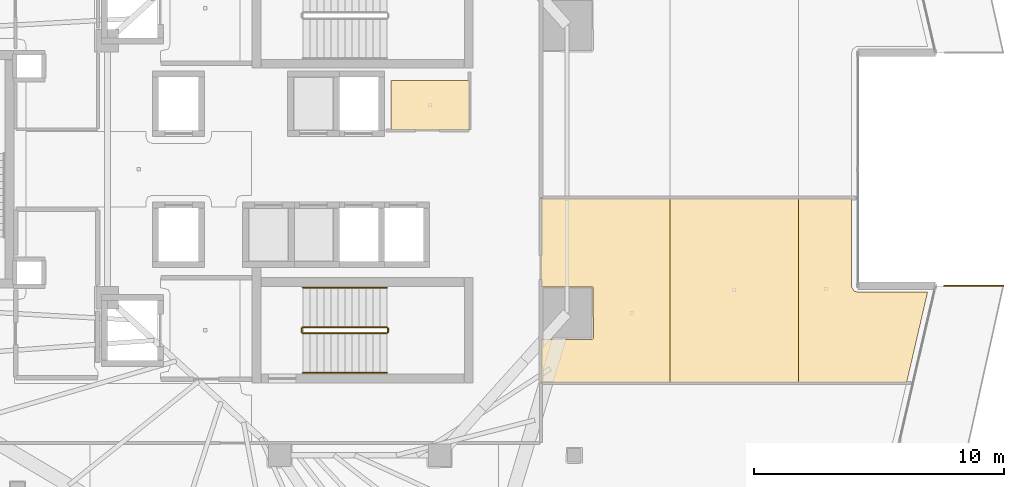
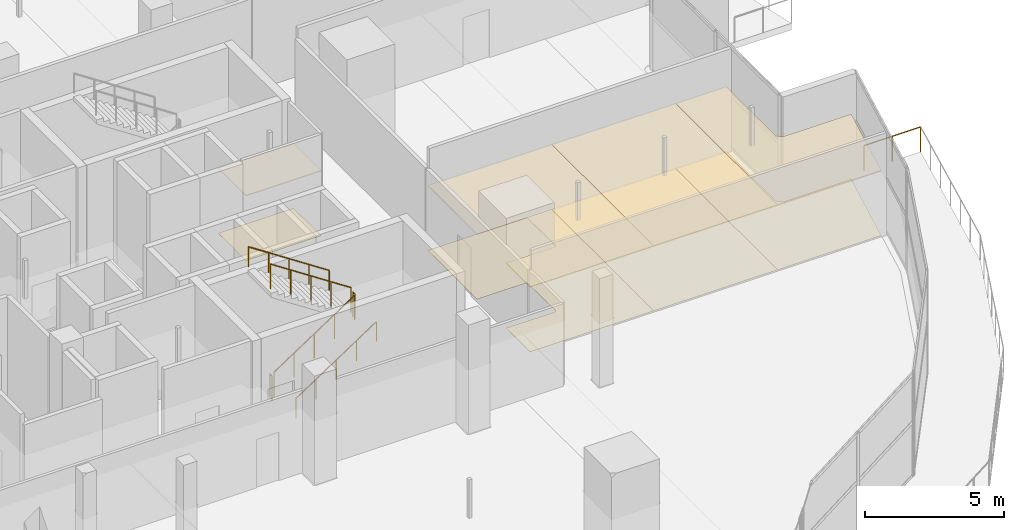
# One storey, part 32 of 36: 8 coverings, 7 railings.
"""IFC4 building model written with IfcOpenShell, lengths in metres."""

from ifc_helpers import new_model, si_unit, direction, frame, origin, origin_2d, place, context, subcontext, project, spatial, polyline, circle, outline, extrude, material, layer, layer_set, type_object, element, save


model = new_model("IFC4")

# Units and contexts
model_context = context("Model", 3, precision=1e-05, world=origin(), true_north=direction((0.0, 1.0)))
body_context = subcontext(model_context, "Body", "Model", "MODEL_VIEW")
ifc_project = project(units=[si_unit("LENGTHUNIT", "METRE"), si_unit("AREAUNIT", "SQUARE_METRE"), si_unit("VOLUMEUNIT", "CUBIC_METRE"), si_unit("PLANEANGLEUNIT", "RADIAN"), si_unit("MASSUNIT", "GRAM", prefix="KILO")], contexts=[model_context])

# Site, building, storey
site_placement = place(None, origin())
site = spatial("IfcSite", under=ifc_project, at=site_placement, CompositionType="ELEMENT")
building_placement = place(site_placement, origin())
building = spatial("IfcBuilding", under=site, at=building_placement, Name="Qorvath Tower", CompositionType="ELEMENT")
storey_placement = place(building_placement, frame((0.0, 0.0, 180.0)))
storey = spatial("IfcBuildingStorey", under=building, at=storey_placement, Name="L41", CompositionType="ELEMENT", Elevation=180.0)

# Coverings
ifc_material_1 = material(Name="Acoustic mineral fibre ceiling tile", Category="gypsum")
ifc_layer_1 = layer(ifc_material_1, 0.030029296875)
ifc_layer_set_1 = layer_set([ifc_layer_1], Name="COV-CEIL")
covering_type_1 = type_object("IfcCoveringType", Name="COV-CEIL", PredefinedType="CEILING", material=ifc_layer_set_1)
covering_1_placement = place(storey_placement, frame((0.0, 0.0, 2.85009765625)))
element("IfcCovering", 1, at=covering_1_placement, inside=storey, type_object=covering_type_1, Name="L41 Suspended Acoustic Ceiling 003", PredefinedType="CEILING", context=body_context, shape_type="SweptSolid", body=[
    extrude(outline(polyline([(-16.0048828125, 3.56005859375), (-19.139892578125, 3.56005859375), (-19.139892578125, 1.56494140625), (-16.0048828125, 1.56494140625), (-16.0048828125, 3.56005859375)])), origin(), (0.0, 0.0, 1.0), 0.030029296875),
])
covering_2_placement = place(storey_placement, frame((0.0, 0.0, 2.85009765625)))
element("IfcCovering", 2, at=covering_2_placement, inside=storey, type_object=covering_type_1, Name="L41 Suspended Acoustic Ceiling 022", PredefinedType="CEILING", context=body_context, shape_type="SweptSolid", body=[
    extrude(outline(polyline([(-7.976806640625, -8.537109375), (-7.976806640625, -1.158203125), (-13.136962890625, -1.158203125), (-13.136962890625, -4.714599609375), (-11.054443359375, -4.715576171875), (-11.036865234375, -6.7578125), (-11.0966796875, -6.81787109375), (-13.136962890625, -6.80126953125), (-13.136962890625, -8.537109375), (-7.976806640625, -8.537109375)])), origin(), (0.0, 0.0, 1.0), 0.030029296875),
])
covering_3_placement = place(storey_placement, frame((0.0, 0.0, 2.85009765625)))
element("IfcCovering", 3, at=covering_3_placement, inside=storey, type_object=covering_type_1, Name="L41 Suspended Acoustic Ceiling 023", PredefinedType="CEILING", context=body_context, shape_type="SweptSolid", body=[
    extrude(outline(polyline([(-2.81640625, -8.537109375), (-2.81640625, -1.158203125), (-7.976806640625, -1.158203125), (-7.976806640625, -8.537109375), (-2.81640625, -8.537109375)])), origin(), (0.0, 0.0, 1.0), 0.030029296875),
])
covering_4_placement = place(storey_placement, frame((0.0, 0.0, 2.85009765625)))
element("IfcCovering", 4, at=covering_4_placement, inside=storey, type_object=covering_type_1, Name="L41 Suspended Acoustic Ceiling 024", PredefinedType="CEILING", context=body_context, shape_type="SweptSolid", body=[
    extrude(outline(polyline([(-0.6083984375, -4.861328125), (-0.69580078125, -4.71435546875), (-0.70068359375, -1.158203125), (-2.81640625, -1.158203125), (-2.81640625, -8.537109375), (1.505126953125, -8.537109375), (2.343994140625, -4.920654296875), (-0.47021484375, -4.91943359375), (-0.6083984375, -4.861328125)])), origin(), (0.0, 0.0, 1.0), 0.030029296875),
])
ifc_material_2 = material(Name="Low-VOC modular carpet tile", Category="textile")
ifc_layer_2 = layer(ifc_material_2, 0.014892578125)
ifc_layer_set_2 = layer_set([ifc_layer_2], Name="COV-FLOOR-CPT")
covering_type_2 = type_object("IfcCoveringType", Name="COV-FLOOR-CPT", PredefinedType="FLOORING", material=ifc_layer_set_2)
covering_5_placement = place(storey_placement, origin())
element("IfcCovering", 5, at=covering_5_placement, inside=storey, type_object=covering_type_2, Name="L41 Floor Finish 003", PredefinedType="FLOORING", context=body_context, shape_type="SweptSolid", body=[
    extrude(outline(polyline([(-16.0048828125, 3.56005859375), (-19.139892578125, 3.56005859375), (-19.139892578125, 1.56494140625), (-16.0048828125, 1.56494140625), (-16.0048828125, 3.56005859375)])), origin(), (0.0, 0.0, 1.0), 0.014892578125),
])
covering_6_placement = place(storey_placement, origin())
element("IfcCovering", 6, at=covering_6_placement, inside=storey, type_object=covering_type_2, Name="L41 Floor Finish 022", PredefinedType="FLOORING", context=body_context, shape_type="SweptSolid", body=[
    extrude(outline(polyline([(-7.976806640625, -8.537109375), (-7.976806640625, -1.158203125), (-13.136962890625, -1.158203125), (-13.136962890625, -4.714599609375), (-11.054443359375, -4.715576171875), (-11.036865234375, -6.7578125), (-11.0966796875, -6.81787109375), (-13.136962890625, -6.80126953125), (-13.136962890625, -8.537109375), (-7.976806640625, -8.537109375)])), origin(), (0.0, 0.0, 1.0), 0.014892578125),
])
covering_7_placement = place(storey_placement, origin())
element("IfcCovering", 7, at=covering_7_placement, inside=storey, type_object=covering_type_2, Name="L41 Floor Finish 023", PredefinedType="FLOORING", context=body_context, shape_type="SweptSolid", body=[
    extrude(outline(polyline([(-2.81640625, -8.537109375), (-2.81640625, -1.158203125), (-7.976806640625, -1.158203125), (-7.976806640625, -8.537109375), (-2.81640625, -8.537109375)])), origin(), (0.0, 0.0, 1.0), 0.014892578125),
])
covering_8_placement = place(storey_placement, origin())
element("IfcCovering", 8, at=covering_8_placement, inside=storey, type_object=covering_type_2, Name="L41 Floor Finish 024", PredefinedType="FLOORING", context=body_context, shape_type="SweptSolid", body=[
    extrude(outline(polyline([(-0.6083984375, -4.861328125), (-0.69580078125, -4.71435546875), (-0.70068359375, -1.158203125), (-2.81640625, -1.158203125), (-2.81640625, -8.537109375), (1.505126953125, -8.537109375), (2.343994140625, -4.920654296875), (-0.47021484375, -4.91943359375), (-0.6083984375, -4.861328125)])), origin(), (0.0, 0.0, 1.0), 0.014892578125),
])

# Railings
ifc_material_3 = material(Name="Laminated safety glass and stainless steel AISI 316", Category="steel")
railing_type_1 = type_object("IfcRailingType", Name="RL-EXT-GRD", PredefinedType="GUARDRAIL", material=ifc_material_3)
railing_1_placement = place(storey_placement, frame((3.014404296875, -4.66552734375, 0.0)))
element("IfcRailing", 9, at=railing_1_placement, inside=storey, type_object=railing_type_1, Name="Loggia Perimeter Guardrail L41-1.2", PredefinedType="GUARDRAIL", context=body_context, shape_type="SweptSolid", body=[
    extrude(circle(Radius=0.02392578125, at=origin_2d()), frame((0.0, 0.0, 1.09619140625), z_axis=(1.0, 0.0, 0.0), x_axis=(0.0, 1.0, 0.0)), (0.0, 0.0, 1.0), 2.36669921875),
    extrude(circle(Radius=0.02099609375, at=origin_2d()), origin(), (0.0, 0.0, 1.0), 1.072021484375),
    extrude(circle(Radius=0.02099609375, at=origin_2d()), frame((1.183349609375, 0.0, 0.0)), (0.0, 0.0, 1.0), 1.072021484375),
    extrude(circle(Radius=0.02099609375, at=origin_2d()), frame((2.36669921875, 0.0, 0.0)), (0.0, 0.0, 1.0), 1.072021484375),
])
ifc_material_4 = material(Name="Painted galvanised steel", Category="steel")
railing_type_2 = type_object("IfcRailingType", Name="RL-STR-GRD", PredefinedType="GUARDRAIL", material=ifc_material_4)
railing_2_placement = place(storey_placement, frame((-22.669921875, -6.570068359375, 0.1845703125)))
element("IfcRailing", 10, at=railing_2_placement, inside=storey, type_object=railing_type_2, Name="L41 TS2 stair guard 1", PredefinedType="GUARDRAIL", context=body_context, shape_type="SweptSolid", body=[
    extrude(circle(Radius=0.02392578125, at=origin_2d()), frame((0.0, 0.0, 1.076171875), z_axis=(0.834858096282, 0.0, 0.550465220583), x_axis=(0.0, 1.0, 0.0)), (0.0, 0.0, 1.0), 4.0244140625),
    extrude(circle(Radius=0.02099609375, at=origin_2d()), origin(), (0.0, 0.0, 1.0), 1.052001953125),
    extrude(circle(Radius=0.02099609375, at=origin_2d()), frame((0.83984375, 0.0, 0.5537109375)), (0.0, 0.0, 1.0), 1.052001953125),
    extrude(circle(Radius=0.02099609375, at=origin_2d()), frame((1.679931640625, 0.0, 1.107666015625)), (0.0, 0.0, 1.0), 1.052001953125),
    extrude(circle(Radius=0.02099609375, at=origin_2d()), frame((2.52001953125, 0.0, 1.66162109375)), (0.0, 0.0, 1.0), 1.052001953125),
    extrude(circle(Radius=0.02099609375, at=origin_2d()), frame((3.35986328125, 0.0, 2.21533203125)), (0.0, 0.0, 1.0), 1.052001953125),
])
railing_3_placement = place(storey_placement, frame((-19.260009765625, -6.52001953125, 2.39990234375)))
element("IfcRailing", 11, at=railing_3_placement, inside=storey, type_object=railing_type_2, Name="L41 TS2 stair guard 2", PredefinedType="GUARDRAIL", context=body_context, shape_type="SweptSolid", body=[
    extrude(circle(Radius=0.02392578125, at=origin_2d()), frame((0.0, 0.0, 1.076171875), z_axis=(0.0, 1.0, 0.0), x_axis=(-1.0, 0.0, 0.0)), (0.0, 0.0, 1.0), 0.14990234375),
    extrude(circle(Radius=0.02099609375, at=origin_2d()), origin(), (0.0, 0.0, 1.0), 1.052001953125),
    extrude(circle(Radius=0.02099609375, at=origin_2d()), frame((0.0, 0.14990234375, 0.0)), (0.0, 0.0, 1.0), 1.052001953125),
])
railing_4_placement = place(storey_placement, frame((-19.31005859375, -6.320068359375, 2.584716796875)))
element("IfcRailing", 12, at=railing_4_placement, inside=storey, type_object=railing_type_2, Name="L41 TS2 stair guard 3", PredefinedType="GUARDRAIL", context=body_context, shape_type="SweptSolid", body=[
    extrude(circle(Radius=0.02392578125, at=origin_2d()), frame((0.0, 0.0, 1.076171875), z_axis=(-0.834858096282, 0.0, 0.550465220583), x_axis=(0.0, -1.0, 0.0)), (0.0, 0.0, 1.0), 4.0244140625),
    extrude(circle(Radius=0.02099609375, at=origin_2d()), origin(), (0.0, 0.0, 1.0), 1.052001953125),
    extrude(circle(Radius=0.02099609375, at=origin_2d()), frame((-0.83984375, 0.0, 0.5537109375)), (0.0, 0.0, 1.0), 1.052001953125),
    extrude(circle(Radius=0.02099609375, at=origin_2d()), frame((-1.679931640625, 0.0, 1.107666015625)), (0.0, 0.0, 1.0), 1.052001953125),
    extrude(circle(Radius=0.02099609375, at=origin_2d()), frame((-2.52001953125, 0.0, 1.66162109375)), (0.0, 0.0, 1.0), 1.052001953125),
    extrude(circle(Radius=0.02099609375, at=origin_2d()), frame((-3.35986328125, 0.0, 2.21533203125)), (0.0, 0.0, 1.0), 1.052001953125),
])
railing_5_placement = place(storey_placement, frame((-22.719970703125, -6.52001953125, 0.0)))
element("IfcRailing", 13, at=railing_5_placement, inside=storey, type_object=railing_type_2, Name="L41 TS2 stair guard 4", PredefinedType="GUARDRAIL", context=body_context, shape_type="SweptSolid", body=[
    extrude(circle(Radius=0.02392578125, at=origin_2d()), frame((0.0, 0.0, 1.076171875), z_axis=(0.0, 1.0, 0.0), x_axis=(-1.0, 0.0, 0.0)), (0.0, 0.0, 1.0), 0.14990234375),
    extrude(circle(Radius=0.02099609375, at=origin_2d()), origin(), (0.0, 0.0, 1.0), 1.052001953125),
    extrude(circle(Radius=0.02099609375, at=origin_2d()), frame((0.0, 0.14990234375, 0.0)), (0.0, 0.0, 1.0), 1.052001953125),
])
ifc_material_5 = material(Name="Brushed stainless steel AISI 304", Category="steel")
railing_type_3 = type_object("IfcRailingType", Name="RL-STR-HND", PredefinedType="HANDRAIL", material=ifc_material_5)
railing_6_placement = place(storey_placement, frame((-22.669921875, -8.14990234375, 0.1845703125)))
element("IfcRailing", 14, at=railing_6_placement, inside=storey, type_object=railing_type_3, Name="L41 TS2 stair handrail 1", PredefinedType="HANDRAIL", context=body_context, shape_type="SweptSolid", body=[
    extrude(circle(Radius=0.02392578125, at=origin_2d()), frame((0.0, 0.0, 0.8759765625), z_axis=(0.834858096282, 0.0, 0.550465220583), x_axis=(0.0, 1.0, 0.0)), (0.0, 0.0, 1.0), 4.0244140625),
    extrude(circle(Radius=0.02099609375, at=origin_2d()), origin(), (0.0, 0.0, 1.0), 0.851806640625),
    extrude(circle(Radius=0.02099609375, at=origin_2d()), frame((0.83984375, 0.0, 0.5537109375)), (0.0, 0.0, 1.0), 0.851806640625),
    extrude(circle(Radius=0.02099609375, at=origin_2d()), frame((1.679931640625, 0.0, 1.107666015625)), (0.0, 0.0, 1.0), 0.851806640625),
    extrude(circle(Radius=0.02099609375, at=origin_2d()), frame((2.52001953125, 0.0, 1.66162109375)), (0.0, 0.0, 1.0), 0.851806640625),
    extrude(circle(Radius=0.02099609375, at=origin_2d()), frame((3.35986328125, 0.0, 2.21533203125)), (0.0, 0.0, 1.0), 0.851806640625),
])
railing_7_placement = place(storey_placement, frame((-19.31005859375, -4.739990234375, 2.584716796875)))
element("IfcRailing", 15, at=railing_7_placement, inside=storey, type_object=railing_type_3, Name="L41 TS2 stair handrail 2", PredefinedType="HANDRAIL", context=body_context, shape_type="SweptSolid", body=[
    extrude(circle(Radius=0.02392578125, at=origin_2d()), frame((0.0, 0.0, 0.8759765625), z_axis=(-0.834858096282, 0.0, 0.550465220583), x_axis=(0.0, -1.0, 0.0)), (0.0, 0.0, 1.0), 4.0244140625),
    extrude(circle(Radius=0.02099609375, at=origin_2d()), origin(), (0.0, 0.0, 1.0), 0.851806640625),
    extrude(circle(Radius=0.02099609375, at=origin_2d()), frame((-0.83984375, 0.0, 0.5537109375)), (0.0, 0.0, 1.0), 0.851806640625),
    extrude(circle(Radius=0.02099609375, at=origin_2d()), frame((-1.679931640625, 0.0, 1.107666015625)), (0.0, 0.0, 1.0), 0.851806640625),
    extrude(circle(Radius=0.02099609375, at=origin_2d()), frame((-2.52001953125, 0.0, 1.66162109375)), (0.0, 0.0, 1.0), 0.851806640625),
    extrude(circle(Radius=0.02099609375, at=origin_2d()), frame((-3.35986328125, 0.0, 2.21533203125)), (0.0, 0.0, 1.0), 0.851806640625),
])

save(model, "model.ifc")
